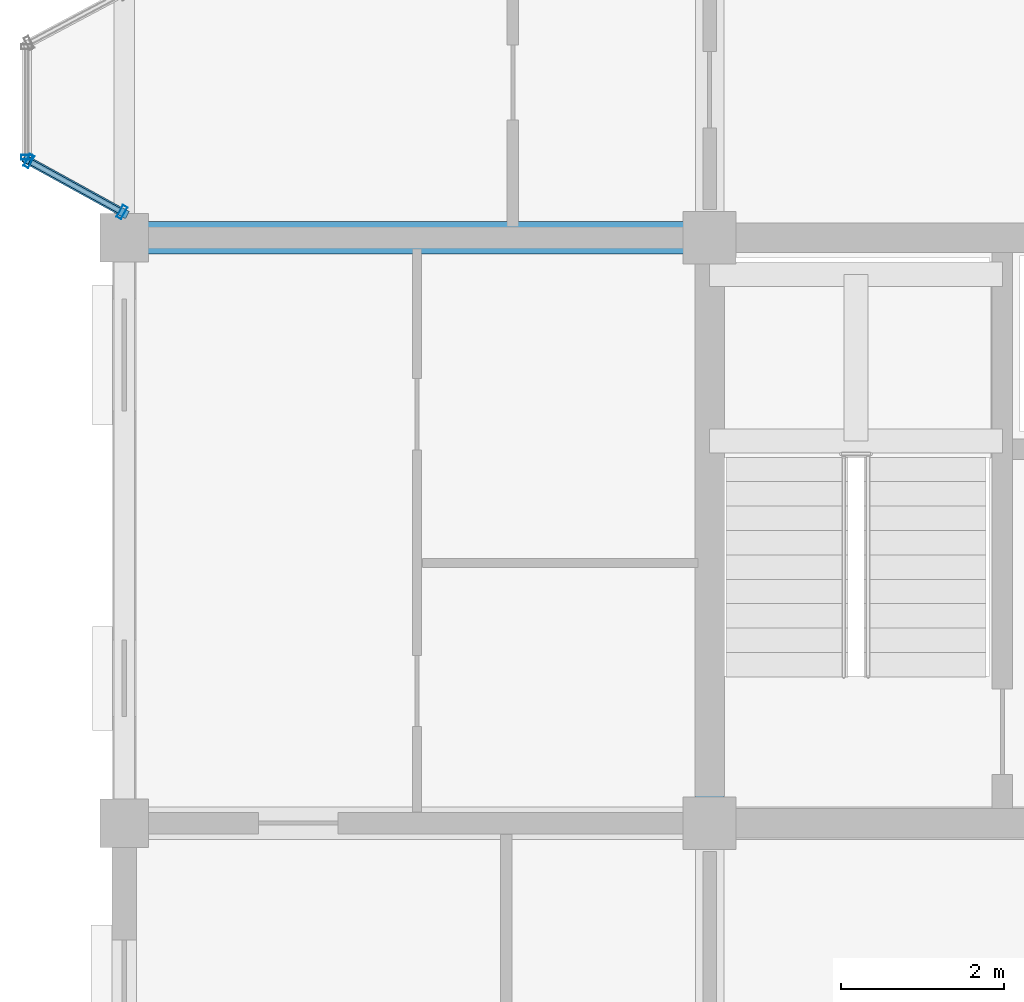
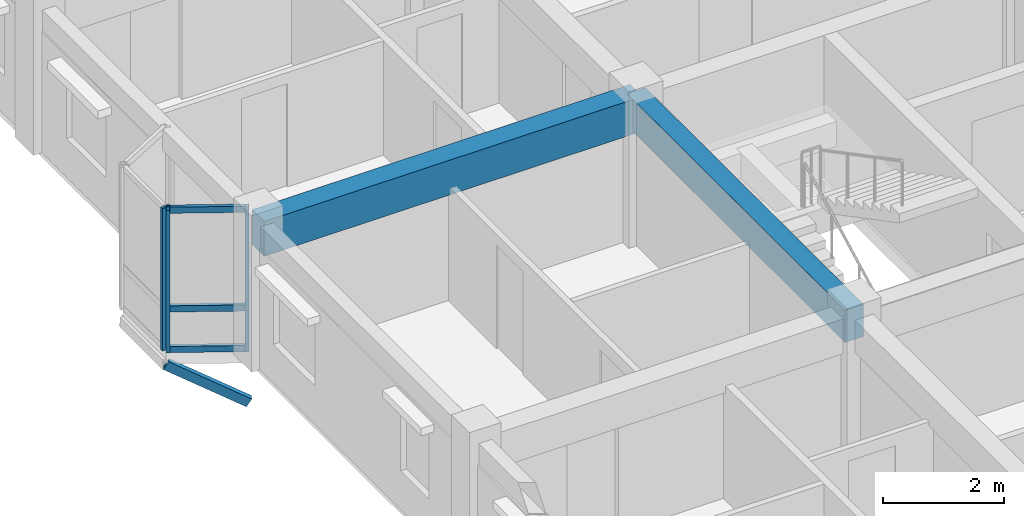
# One storey, part 4 of 124: 7 members, 2 beams, 2 elements without a shape of their own.
"""IFC4 building model written with IfcOpenShell, lengths in metres."""

from ifc_helpers import new_model, si_unit, direction, frame, origin, origin_2d, place, context, subcontext, project, spatial, rectangle, hollow_rectangle, extrude, material, layer, layer_set, material_profile, profile_set, type_object, element, aggregate, save


model = new_model("IFC4")

# Units and contexts
model_context = context("Model", 3, precision=1e-05, world=origin(), true_north=direction((0.0, 1.0)))
body_context = subcontext(model_context, "Body", "Model", "MODEL_VIEW")
ifc_project = project(units=[si_unit("LENGTHUNIT", "METRE"), si_unit("AREAUNIT", "SQUARE_METRE"), si_unit("VOLUMEUNIT", "CUBIC_METRE"), si_unit("PLANEANGLEUNIT", "RADIAN"), si_unit("MASSUNIT", "GRAM", prefix="KILO"), si_unit("THERMODYNAMICTEMPERATUREUNIT", "KELVIN"), si_unit("POWERUNIT", "WATT")], contexts=[model_context])

# Site, building, storey
site_placement = place(None, origin())
site = spatial("IfcSite", under=ifc_project, at=site_placement, CompositionType="ELEMENT")
building_placement = place(site_placement, origin())
building = spatial("IfcBuilding", under=site, at=building_placement, Name="Tavuni Mirador Residences", CompositionType="ELEMENT")
storey_placement = place(building_placement, frame((0.0, 0.0, 7.64990234375)))
storey = spatial("IfcBuildingStorey", under=building, at=storey_placement, Name="L02", CompositionType="ELEMENT", Elevation=7.64990234375)

# Beams
ifc_material_1 = material(Name="Precast concrete C40/50", Category="concrete")
ifc_material_profile_1 = material_profile(ifc_material_1, rectangle(XDim=0.35009765625, YDim=0.64990234375, at=origin_2d()), Name="PC 350x650", Category="concrete")
ifc_profile_set_1 = profile_set([ifc_material_profile_1], Name="Precast concrete C40/50")
beam_type_1 = type_object("IfcBeamType", Name="BT-B650", PredefinedType="BEAM", material=ifc_profile_set_1)
beam_1_placement = place(storey_placement, frame((10.800048828125, 14.39990234375, 2.545166015625), z_axis=(0.0, 1.0, 0.0), x_axis=(-1.0, 0.0, 0.0)))
element("IfcBeam", 1, at=beam_1_placement, inside=storey, type_object=beam_type_1, Name="BMY-BLK-A-L02-01-01", PredefinedType="BEAM", context=body_context, shape_type="SweptSolid", body=[
    extrude(rectangle(XDim=0.35009765625, YDim=0.64990234375, at=origin_2d()), origin(), (0.0, 0.0, 1.0), 7.2001953125),
])
ifc_material_profile_2 = material_profile(ifc_material_1, rectangle(XDim=0.39990234375, YDim=0.699951171875, at=origin_2d()), Name="PC 400x700", Category="concrete")
ifc_profile_set_2 = profile_set([ifc_material_profile_2], Name="Precast concrete C40/50")
beam_type_2 = type_object("IfcBeamType", Name="BT-B700", PredefinedType="BEAM", material=ifc_profile_set_2)
beam_2_placement = place(storey_placement, frame((3.60009765625, 21.60009765625, 2.52001953125), z_axis=(1.0, 0.0, 0.0), x_axis=(0.0, 1.0, 0.0)))
element("IfcBeam", 2, at=beam_2_placement, inside=storey, type_object=beam_type_2, Name="BMX-BLK-A-L02-00-02", PredefinedType="BEAM", context=body_context, shape_type="SweptSolid", body=[
    extrude(rectangle(XDim=0.39990234375, YDim=0.699951171875, at=origin_2d()), origin(), (0.0, 0.0, 1.0), 7.199951171875),
])

# Curtain wall, member
ifc_material_2 = material(Name="Anodised aluminium", Category="aluminium")
ifc_layer_1 = layer(ifc_material_2, 0.1650390625, Name="Anodised aluminium", Category="aluminium")
ifc_layer_set_1 = layer_set([ifc_layer_1], Name="Anodised aluminium")
curtain_wall_type_1 = type_object("IfcCurtainWallType", Name="CWT-MIR-A", PredefinedType="NOTDEFINED", material=ifc_layer_set_1)
curtain_wall_1_placement = place(storey_placement, origin())
curtain_wall_1 = element("IfcCurtainWall", 3, at=curtain_wall_1_placement, inside=storey, type_object=curtain_wall_type_1, Name="CW-MIR-A-W2-L02-MF", PredefinedType="NOTDEFINED")
ifc_material_profile_3 = material_profile(ifc_material_2, hollow_rectangle(XDim=0.06005859375, YDim=0.139892578125, WallThickness=0.00390625, at=origin_2d()), Name="ALU 60x140x4.0", Category="aluminium")
ifc_profile_set_3 = profile_set([ifc_material_profile_3], Name="Anodised aluminium")
member_type_1 = type_object("IfcMemberType", Name="CWM-140", PredefinedType="MULLION", material=ifc_profile_set_3)
member_1_placement = place(storey_placement, frame((2.39990234375, 22.590087890625, 0.0), z_axis=(0.0, 0.0, 1.0), x_axis=(0.0, -1.0, 0.0)))
member_1 = element("IfcMember", 4, at=member_1_placement, type_object=member_type_1, Name="CW-01 mullion 2", PredefinedType="MULLION", context=body_context, shape_type="SweptSolid", body=[
    extrude(hollow_rectangle(XDim=0.06005859375, YDim=0.139892578125, WallThickness=0.00390625, at=origin_2d()), origin(), (0.0, 0.0, 1.0), 2.8701171875),
])
aggregate(curtain_wall_1, [member_1])

# Curtain wall, members
ifc_layer_2 = layer(ifc_material_2, 0.14990234375, Name="Anodised aluminium", Category="aluminium")
ifc_layer_set_2 = layer_set([ifc_layer_2], Name="Anodised aluminium")
curtain_wall_type_2 = type_object("IfcCurtainWallType", Name="CWT-MIR-B", PredefinedType="NOTDEFINED", material=ifc_layer_set_2)
curtain_wall_2_placement = place(storey_placement, origin())
curtain_wall_2 = element("IfcCurtainWall", 5, at=curtain_wall_2_placement, inside=storey, type_object=curtain_wall_type_2, Name="CW-MIR-A-W2-L02-M2", PredefinedType="NOTDEFINED")
ifc_material_profile_4 = material_profile(ifc_material_2, hollow_rectangle(XDim=0.06494140625, YDim=0.1650390625, WallThickness=0.00439453125, at=origin_2d()), Name="ALU 65x165x4.5", Category="aluminium")
ifc_profile_set_4 = profile_set([ifc_material_profile_4], Name="Anodised aluminium")
member_type_2 = type_object("IfcMemberType", Name="CWM-165", PredefinedType="MULLION", material=ifc_profile_set_4)
member_2_placement = place(storey_placement, frame((2.428466796875, 22.54443359375, 0.0), z_axis=(0.0, 0.0, 1.0), x_axis=(0.876215908676, -0.481918749773, 0.0)))
member_2 = element("IfcMember", 6, at=member_2_placement, type_object=member_type_2, Name="CW-02 mullion 1", PredefinedType="MULLION", context=body_context, shape_type="SweptSolid", body=[
    extrude(hollow_rectangle(XDim=0.06494140625, YDim=0.1650390625, WallThickness=0.00439453125, at=origin_2d()), origin(), (0.0, 0.0, 1.0), 2.8701171875),
])
member_3_placement = place(storey_placement, frame((3.571533203125, 21.915771484375, 0.0), z_axis=(0.0, 0.0, 1.0), x_axis=(0.876215908676, -0.481918749773, 0.0)))
member_3 = element("IfcMember", 7, at=member_3_placement, type_object=member_type_2, Name="CW-02 mullion 2", PredefinedType="MULLION", context=body_context, shape_type="SweptSolid", body=[
    extrude(hollow_rectangle(XDim=0.06494140625, YDim=0.1650390625, WallThickness=0.00439453125, at=origin_2d()), origin(), (0.0, 0.0, 1.0), 2.8701171875),
])
ifc_material_profile_5 = material_profile(ifc_material_2, hollow_rectangle(XDim=0.06494140625, YDim=0.125, WallThickness=0.00439453125, at=origin_2d()), Name="ALU 65x125x4.5", Category="aluminium")
ifc_profile_set_5 = profile_set([ifc_material_profile_5], Name="Anodised aluminium")
member_type_3 = type_object("IfcMemberType", Name="CWT-125", PredefinedType="USERDEFINED", material=ifc_profile_set_5)
member_4_placement = place(storey_placement, frame((2.45703125, 22.528564453125, 0.03271484375), z_axis=(0.876249180801, -0.481858250054, 0.0), x_axis=(0.481858250054, 0.876249180801, 0.0)))
member_4 = element("IfcMember", 8, at=member_4_placement, type_object=member_type_3, Name="CW-02 transom 1.1", ObjectType="TRANSOM", PredefinedType="USERDEFINED", context=body_context, shape_type="SweptSolid", body=[
    extrude(hollow_rectangle(XDim=0.06494140625, YDim=0.125, WallThickness=0.00439453125, at=origin_2d()), origin(), (0.0, 0.0, 1.0), 1.2392578125),
])
member_5_placement = place(storey_placement, frame((2.45703125, 22.528564453125, 0.85009765625), z_axis=(0.876249180801, -0.481858250054, 0.0), x_axis=(0.481858250054, 0.876249180801, 0.0)))
member_5 = element("IfcMember", 9, at=member_5_placement, type_object=member_type_3, Name="CW-02 transom 1.2", ObjectType="TRANSOM", PredefinedType="USERDEFINED", context=body_context, shape_type="SweptSolid", body=[
    extrude(hollow_rectangle(XDim=0.06494140625, YDim=0.125, WallThickness=0.00439453125, at=origin_2d()), origin(), (0.0, 0.0, 1.0), 1.2392578125),
])
member_6_placement = place(storey_placement, frame((2.45703125, 22.528564453125, 2.837646484375), z_axis=(0.876249180801, -0.481858250054, 0.0), x_axis=(0.481858250054, 0.876249180801, 0.0)))
member_6 = element("IfcMember", 10, at=member_6_placement, type_object=member_type_3, Name="CW-02 transom 1.3", ObjectType="TRANSOM", PredefinedType="USERDEFINED", context=body_context, shape_type="SweptSolid", body=[
    extrude(hollow_rectangle(XDim=0.06494140625, YDim=0.125, WallThickness=0.00439453125, at=origin_2d()), origin(), (0.0, 0.0, 1.0), 1.2392578125),
])
aggregate(curtain_wall_2, [member_2, member_3, member_4, member_5, member_6])

# Member
ifc_material_3 = material(Name="Structural steel S355", Category="steel")
ifc_material_profile_6 = material_profile(ifc_material_3, hollow_rectangle(XDim=0.10009765625, YDim=0.179931640625, WallThickness=0.008056640625, at=origin_2d()), Name="RHS 180x100x8.0", Category="steel")
ifc_profile_set_6 = profile_set([ifc_material_profile_6], Name="Structural steel S355")
member_type_4 = type_object("IfcMemberType", Name="MT-BR-RHS180", PredefinedType="BRACE", material=ifc_profile_set_6)
member_7_placement = place(storey_placement, frame((3.60009765625, 21.89990234375, -1.0498046875), z_axis=(-0.76378889546, 0.420114966095, 0.490030548471), x_axis=(-0.4819461176, -0.876200855815, 0.0)))
element("IfcMember", 11, at=member_7_placement, inside=storey, type_object=member_type_4, Name="MBRK-MIR-A-W2-L02-1", PredefinedType="BRACE", context=body_context, shape_type="SweptSolid", body=[
    extrude(hollow_rectangle(XDim=0.10009765625, YDim=0.179931640625, WallThickness=0.008056640625, at=origin_2d()), origin(), (0.0, 0.0, 1.0), 1.5712890625),
])

save(model, "model.ifc")
